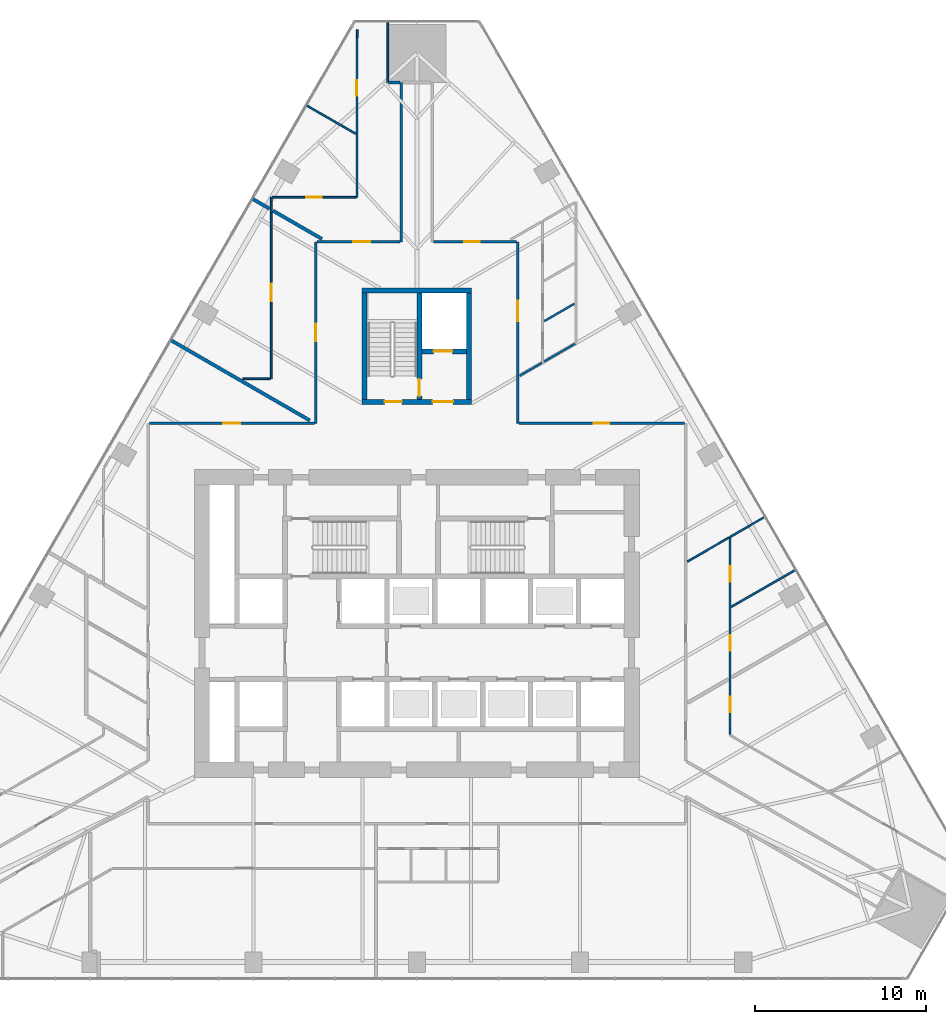
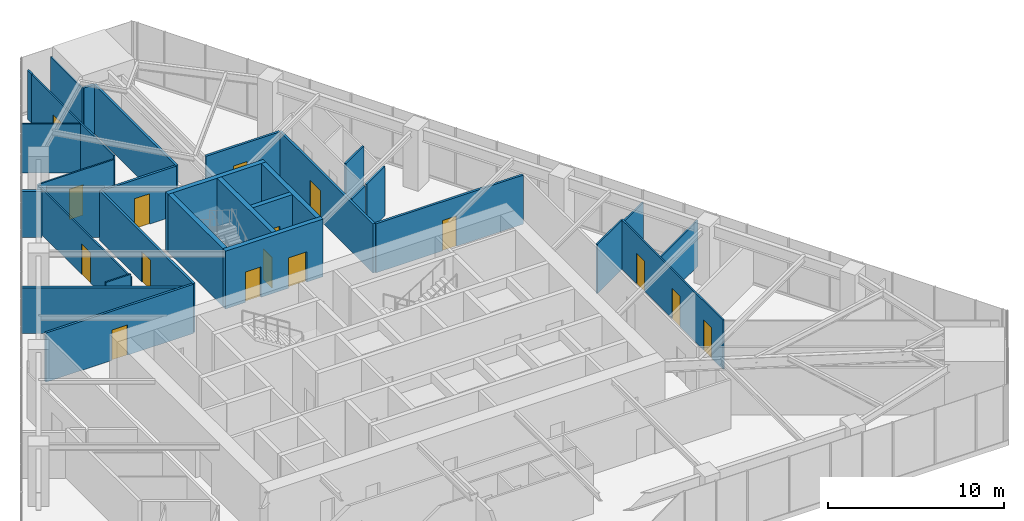
# One storey, part 23 of 26: 31 walls, 16 doors, 16 openings.
"""IFC4 building model written with IfcOpenShell, lengths in metres."""

from ifc_helpers import new_model, si_unit, direction, frame, frame_2d, origin, place, context, subcontext, project, spatial, rectangle, extrude, material, layer, layer_set, type_object, element, fill, save


model = new_model("IFC4")

# Units and contexts
model_context = context("Model", 3, precision=1e-05, world=origin(), true_north=direction((0.0, 1.0)))
body_context = subcontext(model_context, "Body", "Model", "MODEL_VIEW")
ifc_project = project(units=[si_unit("LENGTHUNIT", "METRE"), si_unit("AREAUNIT", "SQUARE_METRE"), si_unit("VOLUMEUNIT", "CUBIC_METRE"), si_unit("PLANEANGLEUNIT", "RADIAN"), si_unit("MASSUNIT", "GRAM", prefix="KILO")], contexts=[model_context])

# Site, building, storey
site_placement = place(None, origin())
site = spatial("IfcSite", under=ifc_project, at=site_placement, CompositionType="ELEMENT")
building_placement = place(site_placement, origin())
building = spatial("IfcBuilding", under=site, at=building_placement, Name="Firuza Gate Tower and Library", CompositionType="ELEMENT")
storey_placement = place(building_placement, frame((0.0, 0.0, 65.199951171875)))
storey = spatial("IfcBuildingStorey", under=building, at=storey_placement, Name="L14", CompositionType="ELEMENT", Elevation=65.199951171875)

# Wall, openings, doors
ifc_material_1 = material(Name="Concrete C80/95", Category="concrete")
ifc_layer_1 = layer(ifc_material_1, 0.300048828125)
ifc_layer_set_1 = layer_set([ifc_layer_1], Name="Core wall 300 C80/95")
wall_type_1 = type_object("IfcWallType", Name="Core wall 300 C80/95", PredefinedType="SHEAR", material=ifc_layer_set_1)
wall_1_placement = place(storey_placement, frame((71.800048828125, 87.949951171875, 0.0), z_axis=(0.0, 0.0, 1.0), x_axis=(1.0, 0.0, 0.0)))
wall_1 = element("IfcWall", 1, at=wall_1_placement, inside=storey, type_object=wall_type_1, Name="Core wall L14 34", PredefinedType="SHEAR", context=body_context, shape_type="SweptSolid", body=[
    extrude(rectangle(XDim=6.39990234375, YDim=0.300048828125, at=frame_2d((3.199951171875, 0.0))), origin(), (0.0, 0.0, 1.0), 4.0),
])
opening_1_placement = place(wall_1_placement, frame((1.324951171875, 0.0, 0.0)))
opening_1 = element("IfcOpeningElement", 2, at=opening_1_placement, cuts=wall_1, Name="Opening L14-K17", PredefinedType="OPENING", context=body_context, shape_type="SweptSolid", body=[
    extrude(rectangle(XDim=1.0, YDim=2.10009765625, at=frame_2d((0.5, 1.050048828125))), frame((0.0, 0.16015625, 0.0), z_axis=(0.0, -1.0, 0.0), x_axis=(1.0, 0.0, 0.0)), (0.0, 0.0, 1.0), 0.320068359375),
])
opening_2_placement = place(wall_1_placement, frame((4.125, 0.0, 0.0)))
opening_2 = element("IfcOpeningElement", 3, at=opening_2_placement, cuts=wall_1, Name="Opening L14-K19", PredefinedType="OPENING", context=body_context, shape_type="SweptSolid", body=[
    extrude(rectangle(XDim=1.199951171875, YDim=2.10009765625, at=frame_2d((0.60009765625, 1.050048828125))), frame((0.0, 0.16015625, 0.0), z_axis=(0.0, -1.0, 0.0), x_axis=(1.0, 0.0, 0.0)), (0.0, 0.0, 1.0), 0.320068359375),
])
ifc_material_2 = material(Name="Steel", Category="steel")
door_type_1 = type_object("IfcDoorType", Name="Fire door 1000x2100 FD90", OperationType="NOTDEFINED", PredefinedType="DOOR", material=ifc_material_2)
door_1_placement = place(opening_1_placement, origin())
door_1 = element("IfcDoor", 4, at=door_1_placement, inside=storey, type_object=door_type_1, Name="Door L14-K17", OperationType="SINGLE_SWING_RIGHT", OverallHeight=2.10009765625, OverallWidth=1.0, PredefinedType="DOOR", context=body_context, shape_type="SweptSolid", body=[
    extrude(rectangle(XDim=1.0, YDim=2.10009765625, at=frame_2d((0.5, 1.050048828125))), frame((0.0, 0.02490234375, 0.0), z_axis=(0.0, -1.0, 0.0), x_axis=(1.0, 0.0, 0.0)), (0.0, 0.0, 1.0), 0.050048828125),
])
fill(opening_1, door_1)
ifc_material_3 = material(Name="Steel", Category="steel")
door_type_2 = type_object("IfcDoorType", Name="Fire door 1200x2100 FD30S", OperationType="NOTDEFINED", PredefinedType="DOOR", material=ifc_material_3)
door_2_placement = place(opening_2_placement, origin())
door_2 = element("IfcDoor", 5, at=door_2_placement, inside=storey, type_object=door_type_2, Name="Door L14-K19", OperationType="SINGLE_SWING_RIGHT", OverallHeight=2.10009765625, OverallWidth=1.199951171875, PredefinedType="DOOR", context=body_context, shape_type="SweptSolid", body=[
    extrude(rectangle(XDim=1.199951171875, YDim=2.10009765625, at=frame_2d((0.60009765625, 1.050048828125))), frame((0.0, 0.02490234375, 0.0), z_axis=(0.0, -1.0, 0.0), x_axis=(1.0, 0.0, 0.0)), (0.0, 0.0, 1.0), 0.050048828125),
])
fill(opening_2, door_2)

# Walls
wall_2_placement = place(storey_placement, frame((71.800048828125, 94.449951171875, 0.0), z_axis=(0.0, 0.0, 1.0), x_axis=(1.0, 0.0, 0.0)))
element("IfcWall", 6, at=wall_2_placement, inside=storey, type_object=wall_type_1, Name="Core wall L14 35", PredefinedType="SHEAR", context=body_context, shape_type="SweptSolid", body=[
    extrude(rectangle(XDim=6.39990234375, YDim=0.300048828125, at=frame_2d((3.199951171875, 0.0))), origin(), (0.0, 0.0, 1.0), 4.0),
])
for number, where, z_axis, x_axis, name in (
    (7, (71.949951171875, 88.10009765625, 0.0), (0.0, 0.0, 1.0), (0.0, 1.0, 0.0), "Core wall L14 36"),
    (8, (78.050048828125, 88.10009765625, 0.0), (0.0, 0.0, 1.0), (0.0, 1.0, 0.0), "Core wall L14 37"),
):
    element("IfcWall", number, at=place(storey_placement, frame(where, z_axis=z_axis, x_axis=x_axis)), inside=storey, type_object=wall_type_1, Name=name, PredefinedType="SHEAR", context=body_context, shape_type="SweptSolid", body=[
        extrude(rectangle(XDim=6.199951171875, YDim=0.300048828125, at=frame_2d((3.10009765625, 0.0))), origin(), (0.0, 0.0, 1.0), 4.0),
    ])

# Wall, opening, door
wall_3_placement = place(storey_placement, frame((75.300048828125, 90.89990234375, 0.0), z_axis=(0.0, 0.0, 1.0), x_axis=(1.0, 0.0, 0.0)))
wall_3 = element("IfcWall", 9, at=wall_3_placement, inside=storey, type_object=wall_type_1, Name="Core wall L14 38", PredefinedType="SHEAR", context=body_context, shape_type="SweptSolid", body=[
    extrude(rectangle(XDim=2.599853515625, YDim=0.300048828125, at=frame_2d((1.2998046875, 0.0))), origin(), (0.0, 0.0, 1.0), 4.0),
])
opening_3_placement = place(wall_3_placement, frame((0.675048828125, 0.0, 0.0)))
opening_3 = element("IfcOpeningElement", 10, at=opening_3_placement, cuts=wall_3, Name="Opening LD-SV1-L14", PredefinedType="OPENING", context=body_context, shape_type="SweptSolid", body=[
    extrude(rectangle(XDim=1.10009765625, YDim=2.10009765625, at=frame_2d((0.550048828125, 1.050048828125))), frame((0.0, 0.16015625, 0.0), z_axis=(0.0, -1.0, 0.0), x_axis=(1.0, 0.0, 0.0)), (0.0, 0.0, 1.0), 0.320068359375),
])
ifc_material_4 = material(Name="Stainless steel", Category="steel")
door_type_3 = type_object("IfcDoorType", Name="Lift landing door 1100x2100", OperationType="DOUBLE_DOOR_SLIDING", PredefinedType="DOOR", material=ifc_material_4)
door_3_placement = place(opening_3_placement, origin())
door_3 = element("IfcDoor", 11, at=door_3_placement, inside=storey, type_object=door_type_3, Name="Landing door SV1 L14", OperationType="DOUBLE_DOOR_SLIDING", OverallHeight=2.10009765625, OverallWidth=1.10009765625, PredefinedType="DOOR", context=body_context, shape_type="SweptSolid", body=[
    extrude(rectangle(XDim=1.10009765625, YDim=2.10009765625, at=frame_2d((0.550048828125, 1.050048828125))), frame((0.0, 0.02490234375, 0.0), z_axis=(0.0, -1.0, 0.0), x_axis=(1.0, 0.0, 0.0)), (0.0, 0.0, 1.0), 0.050048828125),
])
fill(opening_3, door_3)

wall_4_placement = place(storey_placement, frame((75.14990234375, 88.10009765625, 0.0), z_axis=(0.0, 0.0, 1.0), x_axis=(0.0, 1.0, 0.0)))
wall_4 = element("IfcWall", 12, at=wall_4_placement, inside=storey, type_object=wall_type_1, Name="Core wall L14 39", PredefinedType="SHEAR", context=body_context, shape_type="SweptSolid", body=[
    extrude(rectangle(XDim=6.199951171875, YDim=0.300048828125, at=frame_2d((3.10009765625, 0.0))), origin(), (0.0, 0.0, 1.0), 4.0),
])
opening_4_placement = place(wall_4_placement, frame((0.18505859375, 0.0, 0.0)))
opening_4 = element("IfcOpeningElement", 13, at=opening_4_placement, cuts=wall_4, Name="Opening L14-K18", PredefinedType="OPENING", context=body_context, shape_type="SweptSolid", body=[
    extrude(rectangle(XDim=1.0, YDim=2.10009765625, at=frame_2d((0.5, 1.050048828125))), frame((0.0, 0.16015625, 0.0), z_axis=(0.0, -1.0, 0.0), x_axis=(1.0, 0.0, 0.0)), (0.0, 0.0, 1.0), 0.320068359375),
])
door_4_placement = place(opening_4_placement, origin())
door_4 = element("IfcDoor", 14, at=door_4_placement, inside=storey, type_object=door_type_1, Name="Door L14-K18", OperationType="SINGLE_SWING_LEFT", OverallHeight=2.10009765625, OverallWidth=1.0, PredefinedType="DOOR", context=body_context, shape_type="SweptSolid", body=[
    extrude(rectangle(XDim=1.0, YDim=2.10009765625, at=frame_2d((0.5, 1.050048828125))), frame((0.0, 0.02490234375, 0.0), z_axis=(0.0, -1.0, 0.0), x_axis=(1.0, 0.0, 0.0)), (0.0, 0.0, 1.0), 0.050048828125),
])
fill(opening_4, door_4)

ifc_material_5 = material(Name="Gypsum board partition")
ifc_layer_2 = layer(ifc_material_5, 0.14990234375)
ifc_layer_set_2 = layer_set([ifc_layer_2], Name="Corridor wall 150 double board on steel studs")
wall_type_2 = type_object("IfcWallType", Name="Corridor wall 150 double board on steel studs", PredefinedType="PARTITIONING", material=ifc_layer_set_2)
wall_5_placement = place(storey_placement, frame((69.02490234375, 86.699951171875, 0.0), z_axis=(0.0, 0.0, 1.0), x_axis=(-1.0, 0.0, 0.0)))
wall_5 = element("IfcWall", 15, at=wall_5_placement, inside=storey, type_object=wall_type_2, Name="f:L14:w005", PredefinedType="PARTITIONING", context=body_context, shape_type="SweptSolid", body=[
    extrude(rectangle(XDim=9.6494140625, YDim=0.14990234375, at=frame_2d((4.82470703125, 0.0))), origin(), (0.0, 0.0, 1.0), 3.400146484375),
])
opening_5_placement = place(wall_5_placement, frame((4.32470703125, 0.0, 0.0)))
opening_5 = element("IfcOpeningElement", 16, at=opening_5_placement, cuts=wall_5, Name="Opening L14-08", PredefinedType="OPENING", context=body_context, shape_type="SweptSolid", body=[
    extrude(rectangle(XDim=1.0, YDim=2.10009765625, at=frame_2d((0.5, 1.050048828125))), frame((0.0, 0.0849609375, 0.0), z_axis=(0.0, -1.0, 0.0), x_axis=(1.0, 0.0, 0.0)), (0.0, 0.0, 1.0), 0.169921875),
])
ifc_material_6 = material(Name="Steel door and timber leaf", Category="steel")
door_type_4 = type_object("IfcDoorType", Name="Fire door 1000 x 2100 steel frame, timber leaf", OperationType="NOTDEFINED", PredefinedType="DOOR", material=ifc_material_6)
door_5_placement = place(opening_5_placement, origin())
door_5 = element("IfcDoor", 17, at=door_5_placement, inside=storey, type_object=door_type_4, Name="f:L14:d008", OperationType="SINGLE_SWING_LEFT", OverallHeight=2.10009765625, OverallWidth=1.0, PredefinedType="DOOR", context=body_context, shape_type="SweptSolid", body=[
    extrude(rectangle(XDim=1.0, YDim=2.10009765625, at=frame_2d((0.5, 1.050048828125))), frame((0.0, 0.02490234375, 0.0), z_axis=(0.0, -1.0, 0.0), x_axis=(1.0, 0.0, 0.0)), (0.0, 0.0, 1.0), 0.050048828125),
])
fill(opening_5, door_5)

wall_6_placement = place(storey_placement, frame((80.97509765625, 86.699951171875, 0.0), z_axis=(0.0, 0.0, 1.0), x_axis=(1.0, 0.0, 0.0)))
wall_6 = element("IfcWall", 18, at=wall_6_placement, inside=storey, type_object=wall_type_2, Name="f:L14:w006", PredefinedType="PARTITIONING", context=body_context, shape_type="SweptSolid", body=[
    extrude(rectangle(XDim=9.6494140625, YDim=0.14990234375, at=frame_2d((4.82470703125, 0.0))), origin(), (0.0, 0.0, 1.0), 3.400146484375),
])
opening_6_placement = place(wall_6_placement, frame((4.374755859375, 0.0, 0.0)))
opening_6 = element("IfcOpeningElement", 19, at=opening_6_placement, cuts=wall_6, Name="Opening L14-09", PredefinedType="OPENING", context=body_context, shape_type="SweptSolid", body=[
    extrude(rectangle(XDim=0.89990234375, YDim=2.10009765625, at=frame_2d((0.449951171875, 1.050048828125))), frame((0.0, 0.0849609375, 0.0), z_axis=(0.0, -1.0, 0.0), x_axis=(1.0, 0.0, 0.0)), (0.0, 0.0, 1.0), 0.169921875),
])
ifc_material_7 = material(Name="Steel door and timber leaf", Category="steel")
door_type_5 = type_object("IfcDoorType", Name="Fire door 900 x 2100 steel frame, timber leaf", OperationType="NOTDEFINED", PredefinedType="DOOR", material=ifc_material_7)
door_6_placement = place(opening_6_placement, origin())
door_6 = element("IfcDoor", 20, at=door_6_placement, inside=storey, type_object=door_type_5, Name="f:L14:d009", OperationType="SINGLE_SWING_RIGHT", OverallHeight=2.10009765625, OverallWidth=0.89990234375, PredefinedType="DOOR", context=body_context, shape_type="SweptSolid", body=[
    extrude(rectangle(XDim=0.89990234375, YDim=2.10009765625, at=frame_2d((0.449951171875, 1.050048828125))), frame((0.0, 0.02490234375, 0.0), z_axis=(0.0, -1.0, 0.0), x_axis=(1.0, 0.0, 0.0)), (0.0, 0.0, 1.0), 0.050048828125),
])
fill(opening_6, door_6)

wall_7_placement = place(storey_placement, frame((69.175048828125, 97.300048828125, 0.0), z_axis=(0.0, 0.0, 1.0), x_axis=(1.0, 0.0, 0.0)))
wall_7 = element("IfcWall", 21, at=wall_7_placement, inside=storey, type_object=wall_type_2, Name="f:L14:w008", PredefinedType="PARTITIONING", context=body_context, shape_type="SweptSolid", body=[
    extrude(rectangle(XDim=4.849853515625, YDim=0.14990234375, at=frame_2d((2.4248046875, 0.0))), origin(), (0.0, 0.0, 1.0), 3.400146484375),
])
opening_7_placement = place(wall_7_placement, frame((2.107421875, 0.0, 0.0)))
opening_7 = element("IfcOpeningElement", 22, at=opening_7_placement, cuts=wall_7, Name="Opening L14-10", PredefinedType="OPENING", context=body_context, shape_type="SweptSolid", body=[
    extrude(rectangle(XDim=1.0, YDim=2.10009765625, at=frame_2d((0.5, 1.050048828125))), frame((0.0, 0.0849609375, 0.0), z_axis=(0.0, -1.0, 0.0), x_axis=(1.0, 0.0, 0.0)), (0.0, 0.0, 1.0), 0.169921875),
])
door_7_placement = place(opening_7_placement, origin())
door_7 = element("IfcDoor", 23, at=door_7_placement, inside=storey, type_object=door_type_4, Name="f:L14:d010", OperationType="SINGLE_SWING_RIGHT", OverallHeight=2.10009765625, OverallWidth=1.0, PredefinedType="DOOR", context=body_context, shape_type="SweptSolid", body=[
    extrude(rectangle(XDim=1.0, YDim=2.10009765625, at=frame_2d((0.5, 1.050048828125))), frame((0.0, 0.02490234375, 0.0), z_axis=(0.0, -1.0, 0.0), x_axis=(1.0, 0.0, 0.0)), (0.0, 0.0, 1.0), 0.050048828125),
])
fill(opening_7, door_7)

wall_8_placement = place(storey_placement, frame((75.97509765625, 97.300048828125, 0.0), z_axis=(0.0, 0.0, 1.0), x_axis=(1.0, 0.0, 0.0)))
wall_8 = element("IfcWall", 24, at=wall_8_placement, inside=storey, type_object=wall_type_2, Name="f:L14:w009", PredefinedType="PARTITIONING", context=body_context, shape_type="SweptSolid", body=[
    extrude(rectangle(XDim=4.849853515625, YDim=0.14990234375, at=frame_2d((2.4248046875, 0.0))), origin(), (0.0, 0.0, 1.0), 3.400146484375),
])
opening_8_placement = place(wall_8_placement, frame((1.79248046875, 0.0, 0.0)))
opening_8 = element("IfcOpeningElement", 25, at=opening_8_placement, cuts=wall_8, Name="Opening L14-11", PredefinedType="OPENING", context=body_context, shape_type="SweptSolid", body=[
    extrude(rectangle(XDim=0.89990234375, YDim=2.10009765625, at=frame_2d((0.449951171875, 1.050048828125))), frame((0.0, 0.0849609375, 0.0), z_axis=(0.0, -1.0, 0.0), x_axis=(1.0, 0.0, 0.0)), (0.0, 0.0, 1.0), 0.169921875),
])
door_8_placement = place(opening_8_placement, origin())
door_8 = element("IfcDoor", 26, at=door_8_placement, inside=storey, type_object=door_type_5, Name="f:L14:d011", OperationType="SINGLE_SWING_LEFT", OverallHeight=2.10009765625, OverallWidth=0.89990234375, PredefinedType="DOOR", context=body_context, shape_type="SweptSolid", body=[
    extrude(rectangle(XDim=0.89990234375, YDim=2.10009765625, at=frame_2d((0.449951171875, 1.050048828125))), frame((0.0, 0.02490234375, 0.0), z_axis=(0.0, -1.0, 0.0), x_axis=(1.0, 0.0, 0.0)), (0.0, 0.0, 1.0), 0.050048828125),
])
fill(opening_8, door_8)

# Wall
wall_9_placement = place(storey_placement, frame((73.3505859375, 106.60693359375, 0.0), z_axis=(0.0, 0.0, 1.0), x_axis=(1.0, 0.0, 0.0)))
element("IfcWall", 27, at=wall_9_placement, inside=storey, type_object=wall_type_2, Name="f:L14:w011", PredefinedType="PARTITIONING", context=body_context, shape_type="SweptSolid", body=[
    extrude(rectangle(XDim=0.67431640625, YDim=0.14990234375, at=frame_2d((0.337158203125, 0.0))), origin(), (0.0, 0.0, 1.0), 3.400146484375),
])

# Wall, opening, door
wall_10_placement = place(storey_placement, frame((80.89990234375, 97.300048828125, 0.0), z_axis=(0.0, 0.0, 1.0), x_axis=(0.0, -1.0, 0.0)))
wall_10 = element("IfcWall", 28, at=wall_10_placement, inside=storey, type_object=wall_type_2, Name="f:L14:w033", PredefinedType="PARTITIONING", context=body_context, shape_type="SweptSolid", body=[
    extrude(rectangle(XDim=10.60009765625, YDim=0.14990234375, at=frame_2d((5.300048828125, 0.0))), origin(), (0.0, 0.0, 1.0), 3.400146484375),
])
opening_9_placement = place(wall_10_placement, frame((3.443603515625, 0.0, 0.0)))
opening_9 = element("IfcOpeningElement", 29, at=opening_9_placement, cuts=wall_10, Name="Opening L14-25", PredefinedType="OPENING", context=body_context, shape_type="SweptSolid", body=[
    extrude(rectangle(XDim=1.199951171875, YDim=2.10009765625, at=frame_2d((0.60009765625, 1.050048828125))), frame((0.0, 0.0849609375, 0.0), z_axis=(0.0, -1.0, 0.0), x_axis=(1.0, 0.0, 0.0)), (0.0, 0.0, 1.0), 0.169921875),
])
ifc_material_8 = material(Name="Steel door and timber leaf", Category="steel")
door_type_6 = type_object("IfcDoorType", Name="Fire door 1200 x 2100 steel frame, double leaf", OperationType="NOTDEFINED", PredefinedType="DOOR", material=ifc_material_8)
door_9_placement = place(opening_9_placement, origin())
door_9 = element("IfcDoor", 30, at=door_9_placement, inside=storey, type_object=door_type_6, Name="f:L14:d025", OperationType="DOUBLE_DOOR_SINGLE_SWING", OverallHeight=2.10009765625, OverallWidth=1.199951171875, PredefinedType="DOOR", context=body_context, shape_type="SweptSolid", body=[
    extrude(rectangle(XDim=1.199951171875, YDim=2.10009765625, at=frame_2d((0.60009765625, 1.050048828125))), frame((0.0, 0.02490234375, 0.0), z_axis=(0.0, -1.0, 0.0), x_axis=(1.0, 0.0, 0.0)), (0.0, 0.0, 1.0), 0.050048828125),
])
fill(opening_9, door_9)

# Wall
wall_11_placement = place(storey_placement, frame((74.10009765625, 97.300048828125, 0.0), z_axis=(0.0, 0.0, 1.0), x_axis=(0.0, 1.0, 0.0)))
element("IfcWall", 31, at=wall_11_placement, inside=storey, type_object=wall_type_2, Name="f:L14:w038", PredefinedType="PARTITIONING", context=body_context, shape_type="SweptSolid", body=[
    extrude(rectangle(XDim=9.306640625, YDim=0.14990234375, at=frame_2d((4.6533203125, 0.0))), origin(), (0.0, 0.0, 1.0), 3.400146484375),
])

# Wall, opening, door
wall_12_placement = place(storey_placement, frame((69.10009765625, 86.699951171875, 0.0), z_axis=(0.0, 0.0, 1.0), x_axis=(0.0, 1.0, 0.0)))
wall_12 = element("IfcWall", 32, at=wall_12_placement, inside=storey, type_object=wall_type_2, Name="f:L14:w043", PredefinedType="PARTITIONING", context=body_context, shape_type="SweptSolid", body=[
    extrude(rectangle(XDim=10.60009765625, YDim=0.14990234375, at=frame_2d((5.300048828125, 0.0))), origin(), (0.0, 0.0, 1.0), 3.400146484375),
])
opening_10_placement = place(wall_12_placement, frame((4.800048828125, 0.0, 0.0)))
opening_10 = element("IfcOpeningElement", 33, at=opening_10_placement, cuts=wall_12, Name="Opening L14-27", PredefinedType="OPENING", context=body_context, shape_type="SweptSolid", body=[
    extrude(rectangle(XDim=1.0, YDim=2.10009765625, at=frame_2d((0.5, 1.050048828125))), frame((0.0, 0.0849609375, 0.0), z_axis=(0.0, -1.0, 0.0), x_axis=(1.0, 0.0, 0.0)), (0.0, 0.0, 1.0), 0.169921875),
])
door_10_placement = place(opening_10_placement, origin())
door_10 = element("IfcDoor", 34, at=door_10_placement, inside=storey, type_object=door_type_4, Name="f:L14:d027", OperationType="SINGLE_SWING_RIGHT", OverallHeight=2.10009765625, OverallWidth=1.0, PredefinedType="DOOR", context=body_context, shape_type="SweptSolid", body=[
    extrude(rectangle(XDim=1.0, YDim=2.10009765625, at=frame_2d((0.5, 1.050048828125))), frame((0.0, 0.02490234375, 0.0), z_axis=(0.0, -1.0, 0.0), x_axis=(1.0, 0.0, 0.0)), (0.0, 0.0, 1.0), 0.050048828125),
])
fill(opening_10, door_10)

# Walls
ifc_material_9 = material(Name="Gypsum board partition")
ifc_layer_3 = layer(ifc_material_9, 0.199951171875)
ifc_layer_set_3 = layer_set([ifc_layer_3], Name="Demising wall 200 acoustic double stud")
wall_type_3 = type_object("IfcWallType", Name="Demising wall 200 acoustic double stud", PredefinedType="PARTITIONING", material=ifc_layer_set_3)
wall_13_placement = place(storey_placement, frame((69.4599609375, 97.46484375, 0.0), z_axis=(0.0, 0.0, 1.0), x_axis=(-0.866027998537, 0.499995505729, 0.0)))
element("IfcWall", 35, at=wall_13_placement, inside=storey, type_object=wall_type_3, Name="f:L14:w055", PredefinedType="PARTITIONING", context=body_context, shape_type="SweptSolid", body=[
    extrude(rectangle(XDim=3.30224609375, YDim=0.199951171875, at=frame_2d((1.651123046875, 0.0))), origin(), (0.0, 0.0, 1.0), 3.400146484375),
])
wall_14_placement = place(storey_placement, frame((68.7509765625, 86.865234375, 0.0), z_axis=(0.0, 0.0, 1.0), x_axis=(-0.8660257632, 0.499999377474, 0.0)))
element("IfcWall", 36, at=wall_14_placement, inside=storey, type_object=wall_type_3, Name="f:L14:w056", PredefinedType="PARTITIONING", context=body_context, shape_type="SweptSolid", body=[
    extrude(rectangle(XDim=9.38671875, YDim=0.199951171875, at=frame_2d((4.693359375, 0.0))), origin(), (0.0, 0.0, 1.0), 3.1650390625),
])
wall_15_placement = place(storey_placement, frame((66.39990234375, 99.2314453125, 0.0), z_axis=(0.0, 0.0, 1.0), x_axis=(-0.86600796803, 0.500030198396, 0.0)))
element("IfcWall", 37, at=wall_15_placement, inside=storey, type_object=wall_type_3, Name="f:L14:w076", PredefinedType="PARTITIONING", context=body_context, shape_type="SweptSolid", body=[
    extrude(rectangle(XDim=1.16748046875, YDim=0.199951171875, at=frame_2d((0.583740234375, 0.0))), origin(), (0.0, 0.0, 1.0), 3.1650390625),
])
ifc_material_10 = material(Name="Gypsum board partition")
ifc_layer_4 = layer(ifc_material_10, 0.10009765625)
ifc_layer_set_4 = layer_set([ifc_layer_4], Name="Partition 100 gypsum board on steel studs")
wall_type_4 = type_object("IfcWallType", Name="Partition 100 gypsum board on steel studs", PredefinedType="PARTITIONING", material=ifc_layer_set_4)
wall_16_placement = place(storey_placement, frame((64.8232421875, 89.300048828125, 0.0), z_axis=(0.0, 0.0, 1.0), x_axis=(1.0, 0.0, 0.0)))
element("IfcWall", 38, at=wall_16_placement, inside=storey, type_object=wall_type_4, Name="f:L14:w007", PredefinedType="PARTITIONING", context=body_context, shape_type="SweptSolid", body=[
    extrude(rectangle(XDim=1.626708984375, YDim=0.10009765625, at=frame_2d((0.8134765625, 0.0))), origin(), (0.0, 0.0, 1.0), 3.400146484375),
])

# Wall, opening, door
wall_17_placement = place(storey_placement, frame((66.550537109375, 99.89990234375, 0.0), z_axis=(0.0, 0.0, 1.0), x_axis=(1.0, 0.0, 0.0)))
wall_17 = element("IfcWall", 39, at=wall_17_placement, inside=storey, type_object=wall_type_4, Name="f:L14:w010", PredefinedType="PARTITIONING", context=body_context, shape_type="SweptSolid", body=[
    extrude(rectangle(XDim=4.8994140625, YDim=0.10009765625, at=frame_2d((2.44970703125, 0.0))), origin(), (0.0, 0.0, 1.0), 3.1650390625),
])
opening_11_placement = place(wall_17_placement, frame((1.999755859375, 0.0, 0.0)))
opening_11 = element("IfcOpeningElement", 40, at=opening_11_placement, cuts=wall_17, Name="Opening L14-12", PredefinedType="OPENING", context=body_context, shape_type="SweptSolid", body=[
    extrude(rectangle(XDim=0.89990234375, YDim=2.10009765625, at=frame_2d((0.449951171875, 1.050048828125))), frame((0.0, 0.06005859375, 0.0), z_axis=(0.0, -1.0, 0.0), x_axis=(1.0, 0.0, 0.0)), (0.0, 0.0, 1.0), 0.1201171875),
])
ifc_material_11 = material(Name="Timber door", Category="wood")
door_type_7 = type_object("IfcDoorType", Name="Door 900 x 2100 timber leaf", OperationType="NOTDEFINED", PredefinedType="DOOR", material=ifc_material_11)
door_11_placement = place(opening_11_placement, origin())
door_11 = element("IfcDoor", 41, at=door_11_placement, inside=storey, type_object=door_type_7, Name="f:L14:d012", OperationType="SINGLE_SWING_RIGHT", OverallHeight=2.10009765625, OverallWidth=0.89990234375, PredefinedType="DOOR", context=body_context, shape_type="SweptSolid", body=[
    extrude(rectangle(XDim=0.89990234375, YDim=2.10009765625, at=frame_2d((0.449951171875, 1.050048828125))), frame((0.0, 0.02490234375, 0.0), z_axis=(0.0, -1.0, 0.0), x_axis=(1.0, 0.0, 0.0)), (0.0, 0.0, 1.0), 0.050048828125),
])
fill(opening_11, door_11)

# Walls
wall_18_placement = place(storey_placement, frame((93.376220703125, 75.975830078125, 0.0), z_axis=(0.0, 0.0, 1.0), x_axis=(0.866006192811, 0.500033272906, 0.0)))
element("IfcWall", 42, at=wall_18_placement, inside=storey, type_object=wall_type_4, Name="f:L14:w014", PredefinedType="PARTITIONING", context=body_context, shape_type="SweptSolid", body=[
    extrude(rectangle(XDim=4.328857421875, YDim=0.10009765625, at=frame_2d((2.16455078125, 0.0))), origin(), (0.0, 0.0, 1.0), 3.1650390625),
])
wall_19_placement = place(storey_placement, frame((90.80078125, 78.6181640625, 0.0), z_axis=(0.0, 0.0, 1.0), x_axis=(0.866028733576, 0.499994232587, 0.0)))
element("IfcWall", 43, at=wall_19_placement, inside=storey, type_object=wall_type_4, Name="f:L14:w015", PredefinedType="PARTITIONING", context=body_context, shape_type="SweptSolid", body=[
    extrude(rectangle(XDim=2.79931640625, YDim=0.10009765625, at=frame_2d((1.399658203125, 0.0))), origin(), (0.0, 0.0, 1.0), 3.400146484375),
])

# Wall, openings, doors
wall_20_placement = place(storey_placement, frame((93.300048828125, 80.060791015625, 0.0), z_axis=(0.0, 0.0, 1.0), x_axis=(0.0, -1.0, 0.0)))
wall_20 = element("IfcWall", 44, at=wall_20_placement, inside=storey, type_object=wall_type_4, Name="f:L14:w028", PredefinedType="PARTITIONING", context=body_context, shape_type="SweptSolid", body=[
    extrude(rectangle(XDim=11.527099609375, YDim=0.10009765625, at=frame_2d((5.763671875, 0.0))), origin(), (0.0, 0.0, 1.0), 3.400146484375),
])
opening_12_placement = place(wall_20_placement, frame((1.7158203125, 0.0, 0.0)))
opening_12 = element("IfcOpeningElement", 45, at=opening_12_placement, cuts=wall_20, Name="Opening L14-17", PredefinedType="OPENING", context=body_context, shape_type="SweptSolid", body=[
    extrude(rectangle(XDim=0.89990234375, YDim=2.10009765625, at=frame_2d((0.449951171875, 1.050048828125))), frame((0.0, 0.06005859375, 0.0), z_axis=(0.0, -1.0, 0.0), x_axis=(1.0, 0.0, 0.0)), (0.0, 0.0, 1.0), 0.1201171875),
])
opening_13_placement = place(wall_20_placement, frame((5.740966796875, 0.0, 0.0)))
opening_13 = element("IfcOpeningElement", 46, at=opening_13_placement, cuts=wall_20, Name="Opening L14-18", PredefinedType="OPENING", context=body_context, shape_type="SweptSolid", body=[
    extrude(rectangle(XDim=0.89990234375, YDim=2.10009765625, at=frame_2d((0.449951171875, 1.050048828125))), frame((0.0, 0.06005859375, 0.0), z_axis=(0.0, -1.0, 0.0), x_axis=(1.0, 0.0, 0.0)), (0.0, 0.0, 1.0), 0.1201171875),
])
opening_14_placement = place(wall_20_placement, frame((9.342041015625, 0.0, 0.0)))
opening_14 = element("IfcOpeningElement", 47, at=opening_14_placement, cuts=wall_20, Name="Opening L14-19", PredefinedType="OPENING", context=body_context, shape_type="SweptSolid", body=[
    extrude(rectangle(XDim=0.89990234375, YDim=2.10009765625, at=frame_2d((0.449951171875, 1.050048828125))), frame((0.0, 0.06005859375, 0.0), z_axis=(0.0, -1.0, 0.0), x_axis=(1.0, 0.0, 0.0)), (0.0, 0.0, 1.0), 0.1201171875),
])
door_12_placement = place(opening_12_placement, origin())
door_12 = element("IfcDoor", 48, at=door_12_placement, inside=storey, type_object=door_type_7, Name="f:L14:d017", OperationType="SINGLE_SWING_RIGHT", OverallHeight=2.10009765625, OverallWidth=0.89990234375, PredefinedType="DOOR", context=body_context, shape_type="SweptSolid", body=[
    extrude(rectangle(XDim=0.89990234375, YDim=2.10009765625, at=frame_2d((0.449951171875, 1.050048828125))), frame((0.0, 0.02490234375, 0.0), z_axis=(0.0, -1.0, 0.0), x_axis=(1.0, 0.0, 0.0)), (0.0, 0.0, 1.0), 0.050048828125),
])
fill(opening_12, door_12)
door_13_placement = place(opening_13_placement, origin())
door_13 = element("IfcDoor", 49, at=door_13_placement, inside=storey, type_object=door_type_7, Name="f:L14:d018", OperationType="SINGLE_SWING_LEFT", OverallHeight=2.10009765625, OverallWidth=0.89990234375, PredefinedType="DOOR", context=body_context, shape_type="SweptSolid", body=[
    extrude(rectangle(XDim=0.89990234375, YDim=2.10009765625, at=frame_2d((0.449951171875, 1.050048828125))), frame((0.0, 0.02490234375, 0.0), z_axis=(0.0, -1.0, 0.0), x_axis=(1.0, 0.0, 0.0)), (0.0, 0.0, 1.0), 0.050048828125),
])
fill(opening_13, door_13)
door_14_placement = place(opening_14_placement, origin())
door_14 = element("IfcDoor", 50, at=door_14_placement, inside=storey, type_object=door_type_7, Name="f:L14:d019", OperationType="SINGLE_SWING_LEFT", OverallHeight=2.10009765625, OverallWidth=0.89990234375, PredefinedType="DOOR", context=body_context, shape_type="SweptSolid", body=[
    extrude(rectangle(XDim=0.89990234375, YDim=2.10009765625, at=frame_2d((0.449951171875, 1.050048828125))), frame((0.0, 0.02490234375, 0.0), z_axis=(0.0, -1.0, 0.0), x_axis=(1.0, 0.0, 0.0)), (0.0, 0.0, 1.0), 0.050048828125),
])
fill(opening_14, door_14)

# Walls
wall_21_placement = place(storey_placement, frame((73.300048828125, 106.607177734375, 0.0), z_axis=(0.0, 0.0, 1.0), x_axis=(0.0, 1.0, 0.0)))
element("IfcWall", 51, at=wall_21_placement, inside=storey, type_object=wall_type_4, Name="f:L14:w039", PredefinedType="PARTITIONING", context=body_context, shape_type="SweptSolid", body=[
    extrude(rectangle(XDim=3.5595703125, YDim=0.10009765625, at=frame_2d((1.77978515625, 0.0))), origin(), (0.0, 0.0, 1.0), 3.400146484375),
])
wall_22_placement = place(storey_placement, frame((71.51904296875, 109.206787109375, 0.0), z_axis=(0.0, 0.0, 1.0), x_axis=(0.0, 1.0, 0.0)))
element("IfcWall", 52, at=wall_22_placement, inside=storey, type_object=wall_type_4, Name="f:L14:w041", PredefinedType="PARTITIONING", context=body_context, shape_type="SweptSolid", body=[
    extrude(rectangle(XDim=0.47314453125, YDim=0.10009765625, at=frame_2d((0.236572265625, 0.0))), origin(), (0.0, 0.0, 1.0), 3.400146484375),
])

# Wall, opening, door
wall_23_placement = place(storey_placement, frame((71.5, 109.206298828125, 0.0), z_axis=(0.0, 0.0, 1.0), x_axis=(0.0, -1.0, 0.0)))
wall_23 = element("IfcWall", 53, at=wall_23_placement, inside=storey, type_object=wall_type_4, Name="f:L14:w042", PredefinedType="PARTITIONING", context=body_context, shape_type="SweptSolid", body=[
    extrude(rectangle(XDim=9.306396484375, YDim=0.10009765625, at=frame_2d((4.6533203125, 0.0))), origin(), (0.0, 0.0, 1.0), 3.400146484375),
])
opening_15_placement = place(wall_23_placement, frame((2.471435546875, 0.0, 0.0)))
opening_15 = element("IfcOpeningElement", 54, at=opening_15_placement, cuts=wall_23, Name="Opening L14-26", PredefinedType="OPENING", context=body_context, shape_type="SweptSolid", body=[
    extrude(rectangle(XDim=0.89990234375, YDim=2.10009765625, at=frame_2d((0.449951171875, 1.050048828125))), frame((0.0, 0.06005859375, 0.0), z_axis=(0.0, -1.0, 0.0), x_axis=(1.0, 0.0, 0.0)), (0.0, 0.0, 1.0), 0.1201171875),
])
door_15_placement = place(opening_15_placement, origin())
door_15 = element("IfcDoor", 55, at=door_15_placement, inside=storey, type_object=door_type_7, Name="f:L14:d026", OperationType="SINGLE_SWING_RIGHT", OverallHeight=2.10009765625, OverallWidth=0.89990234375, PredefinedType="DOOR", context=body_context, shape_type="SweptSolid", body=[
    extrude(rectangle(XDim=0.89990234375, YDim=2.10009765625, at=frame_2d((0.449951171875, 1.050048828125))), frame((0.0, 0.02490234375, 0.0), z_axis=(0.0, -1.0, 0.0), x_axis=(1.0, 0.0, 0.0)), (0.0, 0.0, 1.0), 0.050048828125),
])
fill(opening_15, door_15)

wall_24_placement = place(storey_placement, frame((66.5, 99.8994140625, 0.0), z_axis=(0.0, 0.0, 1.0), x_axis=(0.0, -1.0, 0.0)))
wall_24 = element("IfcWall", 56, at=wall_24_placement, inside=storey, type_object=wall_type_4, Name="f:L14:w044", PredefinedType="PARTITIONING", context=body_context, shape_type="SweptSolid", body=[
    extrude(rectangle(XDim=10.599365234375, YDim=0.10009765625, at=frame_2d((5.2998046875, 0.0))), origin(), (0.0, 0.0, 1.0), 3.1650390625),
])
opening_16_placement = place(wall_24_placement, frame((5.0625, 0.0, 0.0)))
opening_16 = element("IfcOpeningElement", 57, at=opening_16_placement, cuts=wall_24, Name="Opening L14-28", PredefinedType="OPENING", context=body_context, shape_type="SweptSolid", body=[
    extrude(rectangle(XDim=1.0, YDim=2.10009765625, at=frame_2d((0.5, 1.050048828125))), frame((0.0, 0.06005859375, 0.0), z_axis=(0.0, -1.0, 0.0), x_axis=(1.0, 0.0, 0.0)), (0.0, 0.0, 1.0), 0.1201171875),
])
ifc_material_12 = material(Name="Timber door", Category="wood")
door_type_8 = type_object("IfcDoorType", Name="Door 1000 x 2100 timber leaf", OperationType="NOTDEFINED", PredefinedType="DOOR", material=ifc_material_12)
door_16_placement = place(opening_16_placement, origin())
door_16 = element("IfcDoor", 58, at=door_16_placement, inside=storey, type_object=door_type_8, Name="f:L14:d028", OperationType="SINGLE_SWING_RIGHT", OverallHeight=2.10009765625, OverallWidth=1.0, PredefinedType="DOOR", context=body_context, shape_type="SweptSolid", body=[
    extrude(rectangle(XDim=1.0, YDim=2.10009765625, at=frame_2d((0.5, 1.050048828125))), frame((0.0, 0.02490234375, 0.0), z_axis=(0.0, -1.0, 0.0), x_axis=(1.0, 0.0, 0.0)), (0.0, 0.0, 1.0), 0.050048828125),
])
fill(opening_16, door_16)

# Walls
wall_25_placement = place(storey_placement, frame((71.423828125, 103.610107421875, 0.0), z_axis=(0.0, 0.0, 1.0), x_axis=(-0.866004823592, 0.500035644245, 0.0)))
element("IfcWall", 59, at=wall_25_placement, inside=storey, type_object=wall_type_4, Name="f:L14:w054", PredefinedType="PARTITIONING", context=body_context, shape_type="SweptSolid", body=[
    extrude(rectangle(XDim=3.328857421875, YDim=0.10009765625, at=frame_2d((1.66455078125, 0.0))), origin(), (0.0, 0.0, 1.0), 3.400146484375),
])
wall_26_placement = place(storey_placement, frame((93.33740234375, 80.082763671875, 0.0), z_axis=(0.0, 0.0, 1.0), x_axis=(0.866028885721, 0.49999396906, 0.0)))
element("IfcWall", 60, at=wall_26_placement, inside=storey, type_object=wall_type_4, Name="f:L14:w070", PredefinedType="PARTITIONING", context=body_context, shape_type="SweptSolid", body=[
    extrude(rectangle(XDim=2.30908203125, YDim=0.10009765625, at=frame_2d((1.154541015625, 0.0))), origin(), (0.0, 0.0, 1.0), 3.1650390625),
])
ifc_material_13 = material(Name="Gypsum board partition")
ifc_layer_5 = layer(ifc_material_13, 0.1201171875)
ifc_layer_set_5 = layer_set([ifc_layer_5], Name="Wet-area partition 120 moisture-resistant board")
wall_type_5 = type_object("IfcWallType", Name="Wet-area partition 120 moisture-resistant board", PredefinedType="PARTITIONING", material=ifc_layer_set_5)
wall_27_placement = place(storey_placement, frame((81.009765625, 89.478759765625, 0.0), z_axis=(0.0, 0.0, 1.0), x_axis=(0.866055123991, 0.49994851956, 0.0)))
element("IfcWall", 61, at=wall_27_placement, inside=storey, type_object=wall_type_5, Name="f:L14:w022", PredefinedType="PARTITIONING", context=body_context, shape_type="SweptSolid", body=[
    extrude(rectangle(XDim=1.495849609375, YDim=0.1201171875, at=frame_2d((0.748046875, 0.0))), origin(), (0.0, 0.0, 1.0), 3.400146484375),
])
wall_28_placement = place(storey_placement, frame((82.44482421875, 92.666259765625, 0.0), z_axis=(0.0, 0.0, 1.0), x_axis=(0.866017611601, 0.500013496215, 0.0)))
element("IfcWall", 62, at=wall_28_placement, inside=storey, type_object=wall_type_5, Name="f:L14:w023", PredefinedType="PARTITIONING", context=body_context, shape_type="SweptSolid", body=[
    extrude(rectangle(XDim=2.033203125, YDim=0.1201171875, at=frame_2d((1.0166015625, 0.0))), origin(), (0.0, 0.0, 1.0), 3.400146484375),
])
wall_29_placement = place(storey_placement, frame((82.43994140625, 90.304443359375, 0.0), z_axis=(0.0, 0.0, 1.0), x_axis=(0.866044773228, 0.499966449638, 0.0)))
element("IfcWall", 63, at=wall_29_placement, inside=storey, type_object=wall_type_5, Name="f:L14:w073", PredefinedType="PARTITIONING", context=body_context, shape_type="SweptSolid", body=[
    extrude(rectangle(XDim=2.078857421875, YDim=0.1201171875, at=frame_2d((1.03955078125, 0.0))), origin(), (0.0, 0.0, 1.0), 3.400146484375),
])

save(model, "model.ifc")
